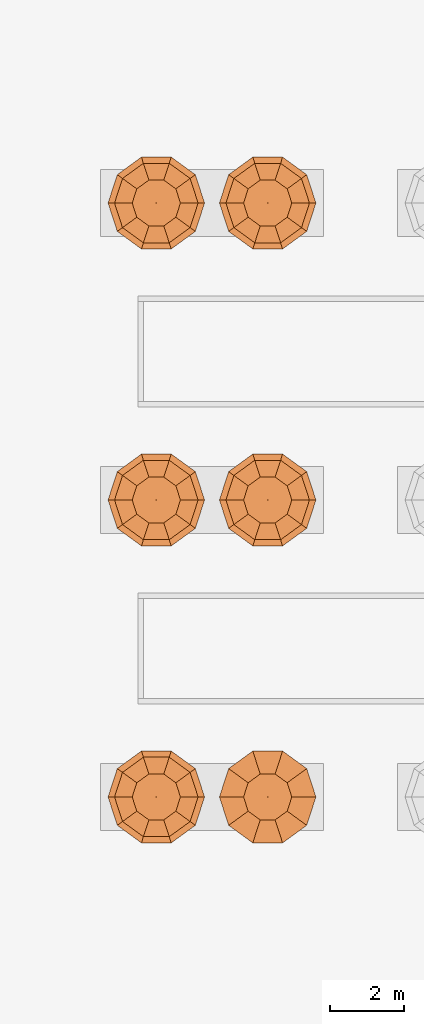
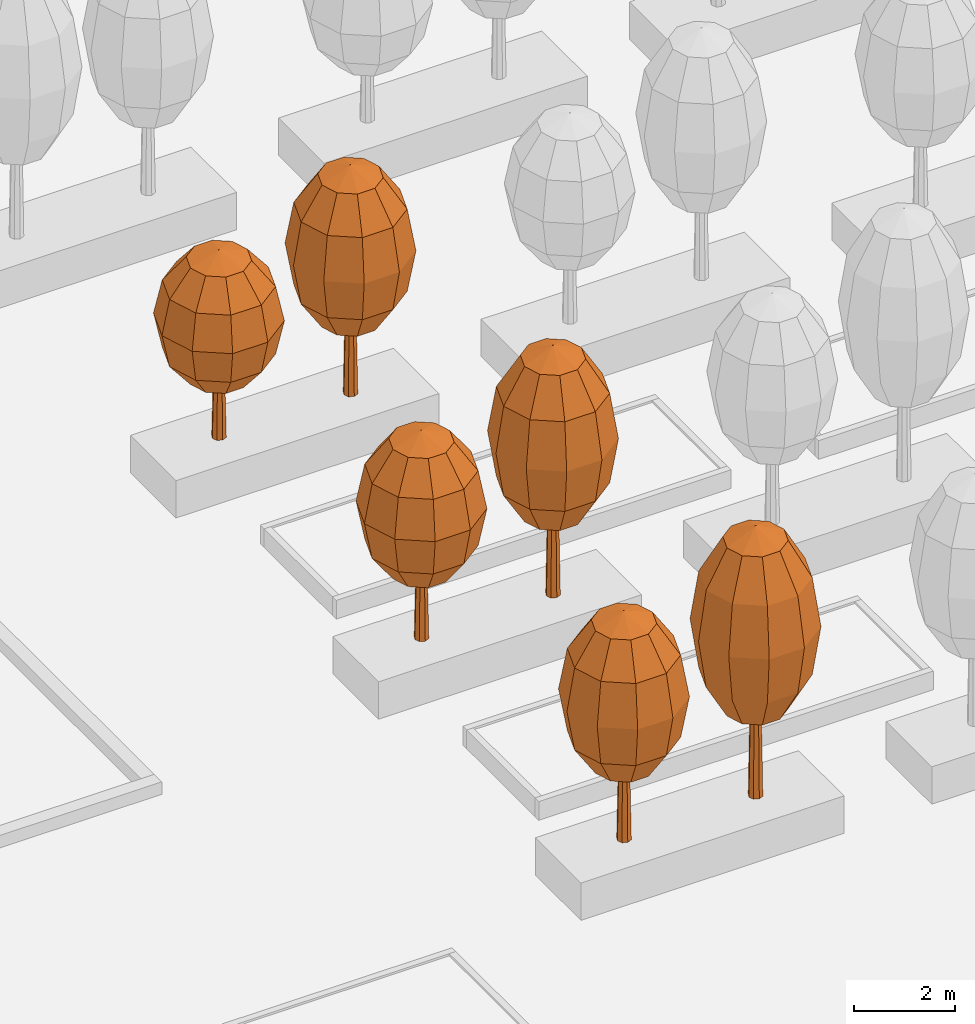
# One storey, part 97 of 100: 6 proxies.
"""IFC4 building model written with IfcOpenShell, lengths in metres."""

from ifc_helpers import new_model, si_unit, direction, frame, origin, place, context, subcontext, project, spatial, triangles, element, save


model = new_model("IFC4")

# Units and contexts
model_context = context("Model", 3, precision=1e-05, world=origin(), true_north=direction((0.0, 1.0)))
body_context = subcontext(model_context, "Body", "Model", "MODEL_VIEW")
ifc_project = project(units=[si_unit("LENGTHUNIT", "METRE"), si_unit("AREAUNIT", "SQUARE_METRE"), si_unit("VOLUMEUNIT", "CUBIC_METRE"), si_unit("PLANEANGLEUNIT", "RADIAN"), si_unit("MASSUNIT", "GRAM", prefix="KILO")], contexts=[model_context])

# Site, building, storey
site_placement = place(None, origin())
site = spatial("IfcSite", under=ifc_project, at=site_placement, CompositionType="ELEMENT")
building_placement = place(site_placement, origin())
building = spatial("IfcBuilding", under=site, at=building_placement, Name="Hakoniwa Tower and Hamabe Station Hall", CompositionType="ELEMENT")
storey_placement = place(building_placement, frame((0.0, 0.0, 9.0)))
storey = spatial("IfcBuildingStorey", under=building, at=storey_placement, Name="L02", CompositionType="ELEMENT", Elevation=9.0)

# Proxies
proxy_1_placement = place(storey_placement, frame((37.5, -57.0, 0.89990234375)))
element("IfcBuildingElementProxy", 1, at=proxy_1_placement, inside=storey, Name="Tree Dendropanax trifidus 04-1", ObjectType="TREE", PredefinedType="USERDEFINED", context=body_context, shape_type="Tessellation", body=[
    triangles([(0.14990234375, 0.0, 0.0), (0.106201171875, 0.106201171875, 0.0), (0.0, 0.14990234375, 0.0), (-0.106201171875, 0.106201171875, 0.0), (-0.14990234375, 0.0, 0.0), (-0.106201171875, -0.106201171875, 0.0), (0.0, -0.14990234375, 0.0), (0.106201171875, -0.106201171875, 0.0), (0.090087890625, 0.0, 3.322021484375), (0.063720703125, 0.063720703125, 3.322021484375), (0.0, 0.090087890625, 3.322021484375), (-0.063720703125, 0.063720703125, 3.322021484375), (-0.090087890625, 0.0, 3.322021484375), (-0.063720703125, -0.063720703125, 3.322021484375), (0.0, -0.090087890625, 3.322021484375), (0.063720703125, -0.063720703125, 3.322021484375), (0.0, 0.0, 0.0), (0.0, 0.0, 3.322021484375)], [[1, 2, 10], [1, 10, 9], [17, 2, 1], [18, 9, 10], [2, 3, 11], [2, 11, 10], [17, 3, 2], [18, 10, 11], [3, 4, 12], [3, 12, 11], [17, 4, 3], [18, 11, 12], [4, 5, 13], [4, 13, 12], [17, 5, 4], [18, 12, 13], [5, 6, 14], [5, 14, 13], [17, 6, 5], [18, 13, 14], [6, 7, 15], [6, 15, 14], [17, 7, 6], [18, 14, 15], [7, 8, 16], [7, 16, 15], [17, 8, 7], [18, 15, 16], [8, 1, 9], [8, 9, 16], [17, 1, 8], [18, 16, 9]], closed=True),
    triangles([(0.0, 0.0, 1.5400390625), (0.64990234375, 0.0, 1.80517578125), (0.52587890625, 0.382080078125, 1.80517578125), (0.200927734375, 0.6181640625, 1.80517578125), (-0.200927734375, 0.6181640625, 1.80517578125), (-0.52587890625, 0.382080078125, 1.80517578125), (-0.64990234375, 0.0, 1.80517578125), (-0.52587890625, -0.382080078125, 1.80517578125), (-0.200927734375, -0.6181640625, 1.80517578125), (0.200927734375, -0.6181640625, 1.80517578125), (0.52587890625, -0.382080078125, 1.80517578125), (1.1259765625, 0.0, 2.530029296875), (0.910888671875, 0.661865234375, 2.530029296875), (0.347900390625, 1.07080078125, 2.530029296875), (-0.347900390625, 1.07080078125, 2.530029296875), (-0.910888671875, 0.661865234375, 2.530029296875), (-1.1259765625, 0.0, 2.530029296875), (-0.910888671875, -0.661865234375, 2.530029296875), (-0.347900390625, -1.07080078125, 2.530029296875), (0.347900390625, -1.07080078125, 2.530029296875), (0.910888671875, -0.661865234375, 2.530029296875), (1.300048828125, 0.0, 3.52001953125), (1.0517578125, 0.76416015625, 3.52001953125), (0.40185546875, 1.236328125, 3.52001953125), (-0.40185546875, 1.236328125, 3.52001953125), (-1.0517578125, 0.76416015625, 3.52001953125), (-1.300048828125, 0.0, 3.52001953125), (-1.0517578125, -0.76416015625, 3.52001953125), (-0.40185546875, -1.236328125, 3.52001953125), (0.40185546875, -1.236328125, 3.52001953125), (1.0517578125, -0.76416015625, 3.52001953125), (1.1259765625, 0.0, 4.510009765625), (0.910888671875, 0.661865234375, 4.510009765625), (0.347900390625, 1.07080078125, 4.510009765625), (-0.347900390625, 1.07080078125, 4.510009765625), (-0.910888671875, 0.661865234375, 4.510009765625), (-1.1259765625, 0.0, 4.510009765625), (-0.910888671875, -0.661865234375, 4.510009765625), (-0.347900390625, -1.07080078125, 4.510009765625), (0.347900390625, -1.07080078125, 4.510009765625), (0.910888671875, -0.661865234375, 4.510009765625), (0.64990234375, 0.0, 5.234619140625), (0.52587890625, 0.382080078125, 5.234619140625), (0.200927734375, 0.6181640625, 5.234619140625), (-0.200927734375, 0.6181640625, 5.234619140625), (-0.52587890625, 0.382080078125, 5.234619140625), (-0.64990234375, 0.0, 5.234619140625), (-0.52587890625, -0.382080078125, 5.234619140625), (-0.200927734375, -0.6181640625, 5.234619140625), (0.200927734375, -0.6181640625, 5.234619140625), (0.52587890625, -0.382080078125, 5.234619140625), (0.0, 0.0, 5.5)], [[1, 3, 2], [1, 4, 3], [1, 5, 4], [1, 6, 5], [1, 7, 6], [1, 8, 7], [1, 9, 8], [1, 10, 9], [1, 11, 10], [1, 2, 11], [2, 3, 13], [2, 13, 12], [3, 4, 14], [3, 14, 13], [4, 5, 15], [4, 15, 14], [5, 6, 16], [5, 16, 15], [6, 7, 17], [6, 17, 16], [7, 8, 18], [7, 18, 17], [8, 9, 19], [8, 19, 18], [9, 10, 20], [9, 20, 19], [10, 11, 21], [10, 21, 20], [11, 2, 12], [11, 12, 21], [12, 13, 23], [12, 23, 22], [13, 14, 24], [13, 24, 23], [14, 15, 25], [14, 25, 24], [15, 16, 26], [15, 26, 25], [16, 17, 27], [16, 27, 26], [17, 18, 28], [17, 28, 27], [18, 19, 29], [18, 29, 28], [19, 20, 30], [19, 30, 29], [20, 21, 31], [20, 31, 30], [21, 12, 22], [21, 22, 31], [22, 23, 33], [22, 33, 32], [23, 24, 34], [23, 34, 33], [24, 25, 35], [24, 35, 34], [25, 26, 36], [25, 36, 35], [26, 27, 37], [26, 37, 36], [27, 28, 38], [27, 38, 37], [28, 29, 39], [28, 39, 38], [29, 30, 40], [29, 40, 39], [30, 31, 41], [30, 41, 40], [31, 22, 32], [31, 32, 41], [32, 33, 43], [32, 43, 42], [33, 34, 44], [33, 44, 43], [34, 35, 45], [34, 45, 44], [35, 36, 46], [35, 46, 45], [36, 37, 47], [36, 47, 46], [37, 38, 48], [37, 48, 47], [38, 39, 49], [38, 49, 48], [39, 40, 50], [39, 50, 49], [40, 41, 51], [40, 51, 50], [41, 32, 42], [41, 42, 51], [52, 42, 43], [52, 43, 44], [52, 44, 45], [52, 45, 46], [52, 46, 47], [52, 47, 48], [52, 48, 49], [52, 49, 50], [52, 50, 51], [52, 51, 42]], closed=True),
])
proxy_2_placement = place(storey_placement, frame((40.5, -57.0, 0.89990234375)))
element("IfcBuildingElementProxy", 2, at=proxy_2_placement, inside=storey, Name="Tree Quercus phillyraeoides 04-2", ObjectType="TREE", PredefinedType="USERDEFINED", context=body_context, shape_type="Tessellation", body=[
    triangles([(0.14990234375, 0.0, 0.0), (0.106201171875, 0.106201171875, 0.0), (0.0, 0.14990234375, 0.0), (-0.106201171875, 0.106201171875, 0.0), (-0.14990234375, 0.0, 0.0), (-0.106201171875, -0.106201171875, 0.0), (0.0, -0.14990234375, 0.0), (0.106201171875, -0.106201171875, 0.0), (0.090087890625, 0.0, 3.926025390625), (0.063720703125, 0.063720703125, 3.926025390625), (0.0, 0.090087890625, 3.926025390625), (-0.063720703125, 0.063720703125, 3.926025390625), (-0.090087890625, 0.0, 3.926025390625), (-0.063720703125, -0.063720703125, 3.926025390625), (0.0, -0.090087890625, 3.926025390625), (0.063720703125, -0.063720703125, 3.926025390625), (0.0, 0.0, 0.0), (0.0, 0.0, 3.926025390625)], [[1, 2, 10], [1, 10, 9], [17, 2, 1], [18, 9, 10], [2, 3, 11], [2, 11, 10], [17, 3, 2], [18, 10, 11], [3, 4, 12], [3, 12, 11], [17, 4, 3], [18, 11, 12], [4, 5, 13], [4, 13, 12], [17, 5, 4], [18, 12, 13], [5, 6, 14], [5, 14, 13], [17, 6, 5], [18, 13, 14], [6, 7, 15], [6, 15, 14], [17, 7, 6], [18, 14, 15], [7, 8, 16], [7, 16, 15], [17, 8, 7], [18, 15, 16], [8, 1, 9], [8, 9, 16], [17, 1, 8], [18, 16, 9]], closed=True),
    triangles([(0.0, 0.0, 1.820068359375), (0.64990234375, 0.0, 2.133544921875), (0.52587890625, 0.382080078125, 2.133544921875), (0.200927734375, 0.6181640625, 2.133544921875), (-0.200927734375, 0.6181640625, 2.133544921875), (-0.52587890625, 0.382080078125, 2.133544921875), (-0.64990234375, 0.0, 2.133544921875), (-0.52587890625, -0.382080078125, 2.133544921875), (-0.200927734375, -0.6181640625, 2.133544921875), (0.200927734375, -0.6181640625, 2.133544921875), (0.52587890625, -0.382080078125, 2.133544921875), (1.1259765625, 0.0, 2.989990234375), (0.910888671875, 0.661865234375, 2.989990234375), (0.347900390625, 1.07080078125, 2.989990234375), (-0.347900390625, 1.07080078125, 2.989990234375), (-0.910888671875, 0.661865234375, 2.989990234375), (-1.1259765625, 0.0, 2.989990234375), (-0.910888671875, -0.661865234375, 2.989990234375), (-0.347900390625, -1.07080078125, 2.989990234375), (0.347900390625, -1.07080078125, 2.989990234375), (0.910888671875, -0.661865234375, 2.989990234375), (1.300048828125, 0.0, 4.159912109375), (1.0517578125, 0.76416015625, 4.159912109375), (0.40185546875, 1.236328125, 4.159912109375), (-0.40185546875, 1.236328125, 4.159912109375), (-1.0517578125, 0.76416015625, 4.159912109375), (-1.300048828125, 0.0, 4.159912109375), (-1.0517578125, -0.76416015625, 4.159912109375), (-0.40185546875, -1.236328125, 4.159912109375), (0.40185546875, -1.236328125, 4.159912109375), (1.0517578125, -0.76416015625, 4.159912109375), (1.1259765625, 0.0, 5.330078125), (0.910888671875, 0.661865234375, 5.330078125), (0.347900390625, 1.07080078125, 5.330078125), (-0.347900390625, 1.07080078125, 5.330078125), (-0.910888671875, 0.661865234375, 5.330078125), (-1.1259765625, 0.0, 5.330078125), (-0.910888671875, -0.661865234375, 5.330078125), (-0.347900390625, -1.07080078125, 5.330078125), (0.347900390625, -1.07080078125, 5.330078125), (0.910888671875, -0.661865234375, 5.330078125), (0.64990234375, 0.0, 6.1865234375), (0.52587890625, 0.382080078125, 6.1865234375), (0.200927734375, 0.6181640625, 6.1865234375), (-0.200927734375, 0.6181640625, 6.1865234375), (-0.52587890625, 0.382080078125, 6.1865234375), (-0.64990234375, 0.0, 6.1865234375), (-0.52587890625, -0.382080078125, 6.1865234375), (-0.200927734375, -0.6181640625, 6.1865234375), (0.200927734375, -0.6181640625, 6.1865234375), (0.52587890625, -0.382080078125, 6.1865234375), (0.0, 0.0, 6.5)], [[1, 3, 2], [1, 4, 3], [1, 5, 4], [1, 6, 5], [1, 7, 6], [1, 8, 7], [1, 9, 8], [1, 10, 9], [1, 11, 10], [1, 2, 11], [2, 3, 13], [2, 13, 12], [3, 4, 14], [3, 14, 13], [4, 5, 15], [4, 15, 14], [5, 6, 16], [5, 16, 15], [6, 7, 17], [6, 17, 16], [7, 8, 18], [7, 18, 17], [8, 9, 19], [8, 19, 18], [9, 10, 20], [9, 20, 19], [10, 11, 21], [10, 21, 20], [11, 2, 12], [11, 12, 21], [12, 13, 23], [12, 23, 22], [13, 14, 24], [13, 24, 23], [14, 15, 25], [14, 25, 24], [15, 16, 26], [15, 26, 25], [16, 17, 27], [16, 27, 26], [17, 18, 28], [17, 28, 27], [18, 19, 29], [18, 29, 28], [19, 20, 30], [19, 30, 29], [20, 21, 31], [20, 31, 30], [21, 12, 22], [21, 22, 31], [22, 23, 33], [22, 33, 32], [23, 24, 34], [23, 34, 33], [24, 25, 35], [24, 35, 34], [25, 26, 36], [25, 36, 35], [26, 27, 37], [26, 37, 36], [27, 28, 38], [27, 38, 37], [28, 29, 39], [28, 39, 38], [29, 30, 40], [29, 40, 39], [30, 31, 41], [30, 41, 40], [31, 22, 32], [31, 32, 41], [32, 33, 43], [32, 43, 42], [33, 34, 44], [33, 44, 43], [34, 35, 45], [34, 45, 44], [35, 36, 46], [35, 46, 45], [36, 37, 47], [36, 47, 46], [37, 38, 48], [37, 48, 47], [38, 39, 49], [38, 49, 48], [39, 40, 50], [39, 50, 49], [40, 41, 51], [40, 51, 50], [41, 32, 42], [41, 42, 51], [52, 42, 43], [52, 43, 44], [52, 44, 45], [52, 45, 46], [52, 46, 47], [52, 47, 48], [52, 48, 49], [52, 49, 50], [52, 50, 51], [52, 51, 42]], closed=True),
])
proxy_3_placement = place(storey_placement, frame((37.5, -49.0, 0.89990234375)))
element("IfcBuildingElementProxy", 3, at=proxy_3_placement, inside=storey, Name="Tree Ilex pedunculosa 10-1", ObjectType="TREE", PredefinedType="USERDEFINED", context=body_context, shape_type="Tessellation", body=[
    triangles([(0.14990234375, 0.0, 0.0), (0.106201171875, 0.106201171875, 0.0), (0.0, 0.14990234375, 0.0), (-0.106201171875, 0.106201171875, 0.0), (-0.14990234375, 0.0, 0.0), (-0.106201171875, -0.106201171875, 0.0), (0.0, -0.14990234375, 0.0), (0.106201171875, -0.106201171875, 0.0), (0.090087890625, 0.0, 3.02001953125), (0.063720703125, 0.063720703125, 3.02001953125), (0.0, 0.090087890625, 3.02001953125), (-0.063720703125, 0.063720703125, 3.02001953125), (-0.090087890625, 0.0, 3.02001953125), (-0.063720703125, -0.063720703125, 3.02001953125), (0.0, -0.090087890625, 3.02001953125), (0.063720703125, -0.063720703125, 3.02001953125), (0.0, 0.0, 0.0), (0.0, 0.0, 3.02001953125)], [[1, 2, 10], [1, 10, 9], [17, 2, 1], [18, 9, 10], [2, 3, 11], [2, 11, 10], [17, 3, 2], [18, 10, 11], [3, 4, 12], [3, 12, 11], [17, 4, 3], [18, 11, 12], [4, 5, 13], [4, 13, 12], [17, 5, 4], [18, 12, 13], [5, 6, 14], [5, 14, 13], [17, 6, 5], [18, 13, 14], [6, 7, 15], [6, 15, 14], [17, 7, 6], [18, 14, 15], [7, 8, 16], [7, 16, 15], [17, 8, 7], [18, 15, 16], [8, 1, 9], [8, 9, 16], [17, 1, 8], [18, 16, 9]], closed=True),
    triangles([(0.0, 0.0, 1.39990234375), (0.64990234375, 0.0, 1.64111328125), (0.52587890625, 0.382080078125, 1.64111328125), (0.200927734375, 0.6181640625, 1.64111328125), (-0.200927734375, 0.6181640625, 1.64111328125), (-0.52587890625, 0.382080078125, 1.64111328125), (-0.64990234375, 0.0, 1.64111328125), (-0.52587890625, -0.382080078125, 1.64111328125), (-0.200927734375, -0.6181640625, 1.64111328125), (0.200927734375, -0.6181640625, 1.64111328125), (0.52587890625, -0.382080078125, 1.64111328125), (1.1259765625, 0.0, 2.300048828125), (0.910888671875, 0.661865234375, 2.300048828125), (0.347900390625, 1.07080078125, 2.300048828125), (-0.347900390625, 1.07080078125, 2.300048828125), (-0.910888671875, 0.661865234375, 2.300048828125), (-1.1259765625, 0.0, 2.300048828125), (-0.910888671875, -0.661865234375, 2.300048828125), (-0.347900390625, -1.07080078125, 2.300048828125), (0.347900390625, -1.07080078125, 2.300048828125), (0.910888671875, -0.661865234375, 2.300048828125), (1.300048828125, 0.0, 3.199951171875), (1.0517578125, 0.76416015625, 3.199951171875), (0.40185546875, 1.236328125, 3.199951171875), (-0.40185546875, 1.236328125, 3.199951171875), (-1.0517578125, 0.76416015625, 3.199951171875), (-1.300048828125, 0.0, 3.199951171875), (-1.0517578125, -0.76416015625, 3.199951171875), (-0.40185546875, -1.236328125, 3.199951171875), (0.40185546875, -1.236328125, 3.199951171875), (1.0517578125, -0.76416015625, 3.199951171875), (1.1259765625, 0.0, 4.10009765625), (0.910888671875, 0.661865234375, 4.10009765625), (0.347900390625, 1.07080078125, 4.10009765625), (-0.347900390625, 1.07080078125, 4.10009765625), (-0.910888671875, 0.661865234375, 4.10009765625), (-1.1259765625, 0.0, 4.10009765625), (-0.910888671875, -0.661865234375, 4.10009765625), (-0.347900390625, -1.07080078125, 4.10009765625), (0.347900390625, -1.07080078125, 4.10009765625), (0.910888671875, -0.661865234375, 4.10009765625), (0.64990234375, 0.0, 4.7587890625), (0.52587890625, 0.382080078125, 4.7587890625), (0.200927734375, 0.6181640625, 4.7587890625), (-0.200927734375, 0.6181640625, 4.7587890625), (-0.52587890625, 0.382080078125, 4.7587890625), (-0.64990234375, 0.0, 4.7587890625), (-0.52587890625, -0.382080078125, 4.7587890625), (-0.200927734375, -0.6181640625, 4.7587890625), (0.200927734375, -0.6181640625, 4.7587890625), (0.52587890625, -0.382080078125, 4.7587890625), (0.0, 0.0, 5.0)], [[1, 3, 2], [1, 4, 3], [1, 5, 4], [1, 6, 5], [1, 7, 6], [1, 8, 7], [1, 9, 8], [1, 10, 9], [1, 11, 10], [1, 2, 11], [2, 3, 13], [2, 13, 12], [3, 4, 14], [3, 14, 13], [4, 5, 15], [4, 15, 14], [5, 6, 16], [5, 16, 15], [6, 7, 17], [6, 17, 16], [7, 8, 18], [7, 18, 17], [8, 9, 19], [8, 19, 18], [9, 10, 20], [9, 20, 19], [10, 11, 21], [10, 21, 20], [11, 2, 12], [11, 12, 21], [12, 13, 23], [12, 23, 22], [13, 14, 24], [13, 24, 23], [14, 15, 25], [14, 25, 24], [15, 16, 26], [15, 26, 25], [16, 17, 27], [16, 27, 26], [17, 18, 28], [17, 28, 27], [18, 19, 29], [18, 29, 28], [19, 20, 30], [19, 30, 29], [20, 21, 31], [20, 31, 30], [21, 12, 22], [21, 22, 31], [22, 23, 33], [22, 33, 32], [23, 24, 34], [23, 34, 33], [24, 25, 35], [24, 35, 34], [25, 26, 36], [25, 36, 35], [26, 27, 37], [26, 37, 36], [27, 28, 38], [27, 38, 37], [28, 29, 39], [28, 39, 38], [29, 30, 40], [29, 40, 39], [30, 31, 41], [30, 41, 40], [31, 22, 32], [31, 32, 41], [32, 33, 43], [32, 43, 42], [33, 34, 44], [33, 44, 43], [34, 35, 45], [34, 45, 44], [35, 36, 46], [35, 46, 45], [36, 37, 47], [36, 47, 46], [37, 38, 48], [37, 48, 47], [38, 39, 49], [38, 49, 48], [39, 40, 50], [39, 50, 49], [40, 41, 51], [40, 51, 50], [41, 32, 42], [41, 42, 51], [52, 42, 43], [52, 43, 44], [52, 44, 45], [52, 45, 46], [52, 46, 47], [52, 47, 48], [52, 48, 49], [52, 49, 50], [52, 50, 51], [52, 51, 42]], closed=True),
])
proxy_4_placement = place(storey_placement, frame((40.5, -49.0, 0.89990234375)))
element("IfcBuildingElementProxy", 4, at=proxy_4_placement, inside=storey, Name="Tree Biota orientalis 10-2", ObjectType="TREE", PredefinedType="USERDEFINED", context=body_context, shape_type="Tessellation", body=[
    triangles([(0.14990234375, 0.0, 0.0), (0.106201171875, 0.106201171875, 0.0), (0.0, 0.14990234375, 0.0), (-0.106201171875, 0.106201171875, 0.0), (-0.14990234375, 0.0, 0.0), (-0.106201171875, -0.106201171875, 0.0), (0.0, -0.14990234375, 0.0), (0.106201171875, -0.106201171875, 0.0), (0.090087890625, 0.0, 3.6240234375), (0.063720703125, 0.063720703125, 3.6240234375), (0.0, 0.090087890625, 3.6240234375), (-0.063720703125, 0.063720703125, 3.6240234375), (-0.090087890625, 0.0, 3.6240234375), (-0.063720703125, -0.063720703125, 3.6240234375), (0.0, -0.090087890625, 3.6240234375), (0.063720703125, -0.063720703125, 3.6240234375), (0.0, 0.0, 0.0), (0.0, 0.0, 3.6240234375)], [[1, 2, 10], [1, 10, 9], [17, 2, 1], [18, 9, 10], [2, 3, 11], [2, 11, 10], [17, 3, 2], [18, 10, 11], [3, 4, 12], [3, 12, 11], [17, 4, 3], [18, 11, 12], [4, 5, 13], [4, 13, 12], [17, 5, 4], [18, 12, 13], [5, 6, 14], [5, 14, 13], [17, 6, 5], [18, 13, 14], [6, 7, 15], [6, 15, 14], [17, 7, 6], [18, 14, 15], [7, 8, 16], [7, 16, 15], [17, 8, 7], [18, 15, 16], [8, 1, 9], [8, 9, 16], [17, 1, 8], [18, 16, 9]], closed=True),
    triangles([(0.0, 0.0, 1.679931640625), (0.64990234375, 0.0, 1.969482421875), (0.52587890625, 0.382080078125, 1.969482421875), (0.200927734375, 0.6181640625, 1.969482421875), (-0.200927734375, 0.6181640625, 1.969482421875), (-0.52587890625, 0.382080078125, 1.969482421875), (-0.64990234375, 0.0, 1.969482421875), (-0.52587890625, -0.382080078125, 1.969482421875), (-0.200927734375, -0.6181640625, 1.969482421875), (0.200927734375, -0.6181640625, 1.969482421875), (0.52587890625, -0.382080078125, 1.969482421875), (1.1259765625, 0.0, 2.760009765625), (0.910888671875, 0.661865234375, 2.760009765625), (0.347900390625, 1.07080078125, 2.760009765625), (-0.347900390625, 1.07080078125, 2.760009765625), (-0.910888671875, 0.661865234375, 2.760009765625), (-1.1259765625, 0.0, 2.760009765625), (-0.910888671875, -0.661865234375, 2.760009765625), (-0.347900390625, -1.07080078125, 2.760009765625), (0.347900390625, -1.07080078125, 2.760009765625), (0.910888671875, -0.661865234375, 2.760009765625), (1.300048828125, 0.0, 3.840087890625), (1.0517578125, 0.76416015625, 3.840087890625), (0.40185546875, 1.236328125, 3.840087890625), (-0.40185546875, 1.236328125, 3.840087890625), (-1.0517578125, 0.76416015625, 3.840087890625), (-1.300048828125, 0.0, 3.840087890625), (-1.0517578125, -0.76416015625, 3.840087890625), (-0.40185546875, -1.236328125, 3.840087890625), (0.40185546875, -1.236328125, 3.840087890625), (1.0517578125, -0.76416015625, 3.840087890625), (1.1259765625, 0.0, 4.919921875), (0.910888671875, 0.661865234375, 4.919921875), (0.347900390625, 1.07080078125, 4.919921875), (-0.347900390625, 1.07080078125, 4.919921875), (-0.910888671875, 0.661865234375, 4.919921875), (-1.1259765625, 0.0, 4.919921875), (-0.910888671875, -0.661865234375, 4.919921875), (-0.347900390625, -1.07080078125, 4.919921875), (0.347900390625, -1.07080078125, 4.919921875), (0.910888671875, -0.661865234375, 4.919921875), (0.64990234375, 0.0, 5.710693359375), (0.52587890625, 0.382080078125, 5.710693359375), (0.200927734375, 0.6181640625, 5.710693359375), (-0.200927734375, 0.6181640625, 5.710693359375), (-0.52587890625, 0.382080078125, 5.710693359375), (-0.64990234375, 0.0, 5.710693359375), (-0.52587890625, -0.382080078125, 5.710693359375), (-0.200927734375, -0.6181640625, 5.710693359375), (0.200927734375, -0.6181640625, 5.710693359375), (0.52587890625, -0.382080078125, 5.710693359375), (0.0, 0.0, 6.0)], [[1, 3, 2], [1, 4, 3], [1, 5, 4], [1, 6, 5], [1, 7, 6], [1, 8, 7], [1, 9, 8], [1, 10, 9], [1, 11, 10], [1, 2, 11], [2, 3, 13], [2, 13, 12], [3, 4, 14], [3, 14, 13], [4, 5, 15], [4, 15, 14], [5, 6, 16], [5, 16, 15], [6, 7, 17], [6, 17, 16], [7, 8, 18], [7, 18, 17], [8, 9, 19], [8, 19, 18], [9, 10, 20], [9, 20, 19], [10, 11, 21], [10, 21, 20], [11, 2, 12], [11, 12, 21], [12, 13, 23], [12, 23, 22], [13, 14, 24], [13, 24, 23], [14, 15, 25], [14, 25, 24], [15, 16, 26], [15, 26, 25], [16, 17, 27], [16, 27, 26], [17, 18, 28], [17, 28, 27], [18, 19, 29], [18, 29, 28], [19, 20, 30], [19, 30, 29], [20, 21, 31], [20, 31, 30], [21, 12, 22], [21, 22, 31], [22, 23, 33], [22, 33, 32], [23, 24, 34], [23, 34, 33], [24, 25, 35], [24, 35, 34], [25, 26, 36], [25, 36, 35], [26, 27, 37], [26, 37, 36], [27, 28, 38], [27, 38, 37], [28, 29, 39], [28, 39, 38], [29, 30, 40], [29, 40, 39], [30, 31, 41], [30, 41, 40], [31, 22, 32], [31, 32, 41], [32, 33, 43], [32, 43, 42], [33, 34, 44], [33, 44, 43], [34, 35, 45], [34, 45, 44], [35, 36, 46], [35, 46, 45], [36, 37, 47], [36, 47, 46], [37, 38, 48], [37, 48, 47], [38, 39, 49], [38, 49, 48], [39, 40, 50], [39, 50, 49], [40, 41, 51], [40, 51, 50], [41, 32, 42], [41, 42, 51], [52, 42, 43], [52, 43, 44], [52, 44, 45], [52, 45, 46], [52, 46, 47], [52, 47, 48], [52, 48, 49], [52, 49, 50], [52, 50, 51], [52, 51, 42]], closed=True),
])
proxy_5_placement = place(storey_placement, frame((37.5, -41.0, 0.89990234375)))
element("IfcBuildingElementProxy", 5, at=proxy_5_placement, inside=storey, Name="Tree Camellia sasanqua 16-1", ObjectType="TREE", PredefinedType="USERDEFINED", context=body_context, shape_type="Tessellation", body=[
    triangles([(0.14990234375, 0.0, 0.0), (0.106201171875, 0.106201171875, 0.0), (0.0, 0.14990234375, 0.0), (-0.106201171875, 0.106201171875, 0.0), (-0.14990234375, 0.0, 0.0), (-0.106201171875, -0.106201171875, 0.0), (0.0, -0.14990234375, 0.0), (0.106201171875, -0.106201171875, 0.0), (0.090087890625, 0.0, 2.718017578125), (0.063720703125, 0.063720703125, 2.718017578125), (0.0, 0.090087890625, 2.718017578125), (-0.063720703125, 0.063720703125, 2.718017578125), (-0.090087890625, 0.0, 2.718017578125), (-0.063720703125, -0.063720703125, 2.718017578125), (0.0, -0.090087890625, 2.718017578125), (0.063720703125, -0.063720703125, 2.718017578125), (0.0, 0.0, 0.0), (0.0, 0.0, 2.718017578125)], [[1, 2, 10], [1, 10, 9], [17, 2, 1], [18, 9, 10], [2, 3, 11], [2, 11, 10], [17, 3, 2], [18, 10, 11], [3, 4, 12], [3, 12, 11], [17, 4, 3], [18, 11, 12], [4, 5, 13], [4, 13, 12], [17, 5, 4], [18, 12, 13], [5, 6, 14], [5, 14, 13], [17, 6, 5], [18, 13, 14], [6, 7, 15], [6, 15, 14], [17, 7, 6], [18, 14, 15], [7, 8, 16], [7, 16, 15], [17, 8, 7], [18, 15, 16], [8, 1, 9], [8, 9, 16], [17, 1, 8], [18, 16, 9]], closed=True),
    triangles([(0.0, 0.0, 1.260009765625), (0.64990234375, 0.0, 1.47705078125), (0.52587890625, 0.382080078125, 1.47705078125), (0.200927734375, 0.6181640625, 1.47705078125), (-0.200927734375, 0.6181640625, 1.47705078125), (-0.52587890625, 0.382080078125, 1.47705078125), (-0.64990234375, 0.0, 1.47705078125), (-0.52587890625, -0.382080078125, 1.47705078125), (-0.200927734375, -0.6181640625, 1.47705078125), (0.200927734375, -0.6181640625, 1.47705078125), (0.52587890625, -0.382080078125, 1.47705078125), (1.1259765625, 0.0, 2.070068359375), (0.910888671875, 0.661865234375, 2.070068359375), (0.347900390625, 1.07080078125, 2.070068359375), (-0.347900390625, 1.07080078125, 2.070068359375), (-0.910888671875, 0.661865234375, 2.070068359375), (-1.1259765625, 0.0, 2.070068359375), (-0.910888671875, -0.661865234375, 2.070068359375), (-0.347900390625, -1.07080078125, 2.070068359375), (0.347900390625, -1.07080078125, 2.070068359375), (0.910888671875, -0.661865234375, 2.070068359375), (1.300048828125, 0.0, 2.8798828125), (1.0517578125, 0.76416015625, 2.8798828125), (0.40185546875, 1.236328125, 2.8798828125), (-0.40185546875, 1.236328125, 2.8798828125), (-1.0517578125, 0.76416015625, 2.8798828125), (-1.300048828125, 0.0, 2.8798828125), (-1.0517578125, -0.76416015625, 2.8798828125), (-0.40185546875, -1.236328125, 2.8798828125), (0.40185546875, -1.236328125, 2.8798828125), (1.0517578125, -0.76416015625, 2.8798828125), (1.1259765625, 0.0, 3.68994140625), (0.910888671875, 0.661865234375, 3.68994140625), (0.347900390625, 1.07080078125, 3.68994140625), (-0.347900390625, 1.07080078125, 3.68994140625), (-0.910888671875, 0.661865234375, 3.68994140625), (-1.1259765625, 0.0, 3.68994140625), (-0.910888671875, -0.661865234375, 3.68994140625), (-0.347900390625, -1.07080078125, 3.68994140625), (0.347900390625, -1.07080078125, 3.68994140625), (0.910888671875, -0.661865234375, 3.68994140625), (0.64990234375, 0.0, 4.282958984375), (0.52587890625, 0.382080078125, 4.282958984375), (0.200927734375, 0.6181640625, 4.282958984375), (-0.200927734375, 0.6181640625, 4.282958984375), (-0.52587890625, 0.382080078125, 4.282958984375), (-0.64990234375, 0.0, 4.282958984375), (-0.52587890625, -0.382080078125, 4.282958984375), (-0.200927734375, -0.6181640625, 4.282958984375), (0.200927734375, -0.6181640625, 4.282958984375), (0.52587890625, -0.382080078125, 4.282958984375), (0.0, 0.0, 4.5)], [[1, 3, 2], [1, 4, 3], [1, 5, 4], [1, 6, 5], [1, 7, 6], [1, 8, 7], [1, 9, 8], [1, 10, 9], [1, 11, 10], [1, 2, 11], [2, 3, 13], [2, 13, 12], [3, 4, 14], [3, 14, 13], [4, 5, 15], [4, 15, 14], [5, 6, 16], [5, 16, 15], [6, 7, 17], [6, 17, 16], [7, 8, 18], [7, 18, 17], [8, 9, 19], [8, 19, 18], [9, 10, 20], [9, 20, 19], [10, 11, 21], [10, 21, 20], [11, 2, 12], [11, 12, 21], [12, 13, 23], [12, 23, 22], [13, 14, 24], [13, 24, 23], [14, 15, 25], [14, 25, 24], [15, 16, 26], [15, 26, 25], [16, 17, 27], [16, 27, 26], [17, 18, 28], [17, 28, 27], [18, 19, 29], [18, 29, 28], [19, 20, 30], [19, 30, 29], [20, 21, 31], [20, 31, 30], [21, 12, 22], [21, 22, 31], [22, 23, 33], [22, 33, 32], [23, 24, 34], [23, 34, 33], [24, 25, 35], [24, 35, 34], [25, 26, 36], [25, 36, 35], [26, 27, 37], [26, 37, 36], [27, 28, 38], [27, 38, 37], [28, 29, 39], [28, 39, 38], [29, 30, 40], [29, 40, 39], [30, 31, 41], [30, 41, 40], [31, 22, 32], [31, 32, 41], [32, 33, 43], [32, 43, 42], [33, 34, 44], [33, 44, 43], [34, 35, 45], [34, 45, 44], [35, 36, 46], [35, 46, 45], [36, 37, 47], [36, 47, 46], [37, 38, 48], [37, 48, 47], [38, 39, 49], [38, 49, 48], [39, 40, 50], [39, 50, 49], [40, 41, 51], [40, 51, 50], [41, 32, 42], [41, 42, 51], [52, 42, 43], [52, 43, 44], [52, 44, 45], [52, 45, 46], [52, 46, 47], [52, 47, 48], [52, 48, 49], [52, 49, 50], [52, 50, 51], [52, 51, 42]], closed=True),
])
proxy_6_placement = place(storey_placement, frame((40.5, -41.0, 0.89990234375)))
element("IfcBuildingElementProxy", 6, at=proxy_6_placement, inside=storey, Name="Tree Ternstroemia gymnanthera 16-2", ObjectType="TREE", PredefinedType="USERDEFINED", context=body_context, shape_type="Tessellation", body=[
    triangles([(0.14990234375, 0.0, 0.0), (0.106201171875, 0.106201171875, 0.0), (0.0, 0.14990234375, 0.0), (-0.106201171875, 0.106201171875, 0.0), (-0.14990234375, 0.0, 0.0), (-0.106201171875, -0.106201171875, 0.0), (0.0, -0.14990234375, 0.0), (0.106201171875, -0.106201171875, 0.0), (0.090087890625, 0.0, 3.322021484375), (0.063720703125, 0.063720703125, 3.322021484375), (0.0, 0.090087890625, 3.322021484375), (-0.063720703125, 0.063720703125, 3.322021484375), (-0.090087890625, 0.0, 3.322021484375), (-0.063720703125, -0.063720703125, 3.322021484375), (0.0, -0.090087890625, 3.322021484375), (0.063720703125, -0.063720703125, 3.322021484375), (0.0, 0.0, 0.0), (0.0, 0.0, 3.322021484375)], [[1, 2, 10], [1, 10, 9], [17, 2, 1], [18, 9, 10], [2, 3, 11], [2, 11, 10], [17, 3, 2], [18, 10, 11], [3, 4, 12], [3, 12, 11], [17, 4, 3], [18, 11, 12], [4, 5, 13], [4, 13, 12], [17, 5, 4], [18, 12, 13], [5, 6, 14], [5, 14, 13], [17, 6, 5], [18, 13, 14], [6, 7, 15], [6, 15, 14], [17, 7, 6], [18, 14, 15], [7, 8, 16], [7, 16, 15], [17, 8, 7], [18, 15, 16], [8, 1, 9], [8, 9, 16], [17, 1, 8], [18, 16, 9]], closed=True),
    triangles([(0.0, 0.0, 1.5400390625), (0.64990234375, 0.0, 1.80517578125), (0.52587890625, 0.382080078125, 1.80517578125), (0.200927734375, 0.6181640625, 1.80517578125), (-0.200927734375, 0.6181640625, 1.80517578125), (-0.52587890625, 0.382080078125, 1.80517578125), (-0.64990234375, 0.0, 1.80517578125), (-0.52587890625, -0.382080078125, 1.80517578125), (-0.200927734375, -0.6181640625, 1.80517578125), (0.200927734375, -0.6181640625, 1.80517578125), (0.52587890625, -0.382080078125, 1.80517578125), (1.1259765625, 0.0, 2.530029296875), (0.910888671875, 0.661865234375, 2.530029296875), (0.347900390625, 1.07080078125, 2.530029296875), (-0.347900390625, 1.07080078125, 2.530029296875), (-0.910888671875, 0.661865234375, 2.530029296875), (-1.1259765625, 0.0, 2.530029296875), (-0.910888671875, -0.661865234375, 2.530029296875), (-0.347900390625, -1.07080078125, 2.530029296875), (0.347900390625, -1.07080078125, 2.530029296875), (0.910888671875, -0.661865234375, 2.530029296875), (1.300048828125, 0.0, 3.52001953125), (1.0517578125, 0.76416015625, 3.52001953125), (0.40185546875, 1.236328125, 3.52001953125), (-0.40185546875, 1.236328125, 3.52001953125), (-1.0517578125, 0.76416015625, 3.52001953125), (-1.300048828125, 0.0, 3.52001953125), (-1.0517578125, -0.76416015625, 3.52001953125), (-0.40185546875, -1.236328125, 3.52001953125), (0.40185546875, -1.236328125, 3.52001953125), (1.0517578125, -0.76416015625, 3.52001953125), (1.1259765625, 0.0, 4.510009765625), (0.910888671875, 0.661865234375, 4.510009765625), (0.347900390625, 1.07080078125, 4.510009765625), (-0.347900390625, 1.07080078125, 4.510009765625), (-0.910888671875, 0.661865234375, 4.510009765625), (-1.1259765625, 0.0, 4.510009765625), (-0.910888671875, -0.661865234375, 4.510009765625), (-0.347900390625, -1.07080078125, 4.510009765625), (0.347900390625, -1.07080078125, 4.510009765625), (0.910888671875, -0.661865234375, 4.510009765625), (0.64990234375, 0.0, 5.234619140625), (0.52587890625, 0.382080078125, 5.234619140625), (0.200927734375, 0.6181640625, 5.234619140625), (-0.200927734375, 0.6181640625, 5.234619140625), (-0.52587890625, 0.382080078125, 5.234619140625), (-0.64990234375, 0.0, 5.234619140625), (-0.52587890625, -0.382080078125, 5.234619140625), (-0.200927734375, -0.6181640625, 5.234619140625), (0.200927734375, -0.6181640625, 5.234619140625), (0.52587890625, -0.382080078125, 5.234619140625), (0.0, 0.0, 5.5)], [[1, 3, 2], [1, 4, 3], [1, 5, 4], [1, 6, 5], [1, 7, 6], [1, 8, 7], [1, 9, 8], [1, 10, 9], [1, 11, 10], [1, 2, 11], [2, 3, 13], [2, 13, 12], [3, 4, 14], [3, 14, 13], [4, 5, 15], [4, 15, 14], [5, 6, 16], [5, 16, 15], [6, 7, 17], [6, 17, 16], [7, 8, 18], [7, 18, 17], [8, 9, 19], [8, 19, 18], [9, 10, 20], [9, 20, 19], [10, 11, 21], [10, 21, 20], [11, 2, 12], [11, 12, 21], [12, 13, 23], [12, 23, 22], [13, 14, 24], [13, 24, 23], [14, 15, 25], [14, 25, 24], [15, 16, 26], [15, 26, 25], [16, 17, 27], [16, 27, 26], [17, 18, 28], [17, 28, 27], [18, 19, 29], [18, 29, 28], [19, 20, 30], [19, 30, 29], [20, 21, 31], [20, 31, 30], [21, 12, 22], [21, 22, 31], [22, 23, 33], [22, 33, 32], [23, 24, 34], [23, 34, 33], [24, 25, 35], [24, 35, 34], [25, 26, 36], [25, 36, 35], [26, 27, 37], [26, 37, 36], [27, 28, 38], [27, 38, 37], [28, 29, 39], [28, 39, 38], [29, 30, 40], [29, 40, 39], [30, 31, 41], [30, 41, 40], [31, 22, 32], [31, 32, 41], [32, 33, 43], [32, 43, 42], [33, 34, 44], [33, 44, 43], [34, 35, 45], [34, 45, 44], [35, 36, 46], [35, 46, 45], [36, 37, 47], [36, 47, 46], [37, 38, 48], [37, 48, 47], [38, 39, 49], [38, 49, 48], [39, 40, 50], [39, 50, 49], [40, 41, 51], [40, 51, 50], [41, 32, 42], [41, 42, 51], [52, 42, 43], [52, 43, 44], [52, 44, 45], [52, 45, 46], [52, 46, 47], [52, 47, 48], [52, 48, 49], [52, 49, 50], [52, 50, 51], [52, 51, 42]], closed=True),
])

save(model, "model.ifc")
